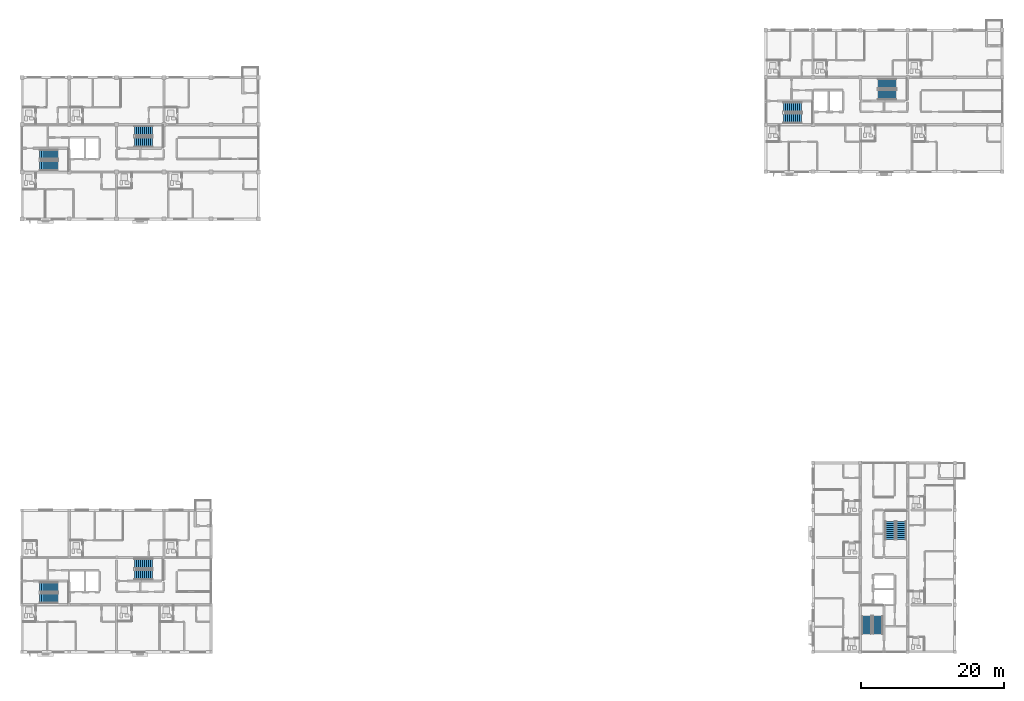
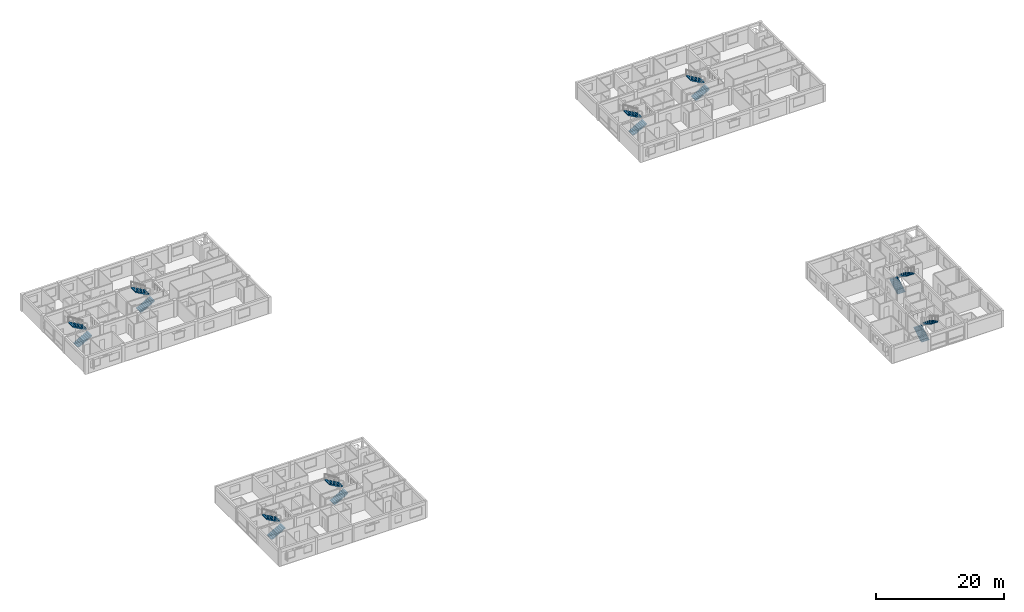
# One storey, part 42 of 53: 16 stair flights, 8 elements without a shape of their own.
"""IFC4 building model written with IfcOpenShell, lengths in metres."""

from ifc_helpers import new_model, si_unit, direction, frame, origin, place, context, subcontext, project, spatial, polyline, outline, extrude, material, type_object, element, aggregate, save


model = new_model("IFC4")

# Units and contexts
model_context = context("Model", 3, precision=1e-05, world=origin(), true_north=direction((0.0, 1.0)))
body_context = subcontext(model_context, "Body", "Model", "MODEL_VIEW")
ifc_project = project(units=[si_unit("LENGTHUNIT", "METRE"), si_unit("AREAUNIT", "SQUARE_METRE"), si_unit("VOLUMEUNIT", "CUBIC_METRE"), si_unit("PLANEANGLEUNIT", "RADIAN"), si_unit("MASSUNIT", "GRAM", prefix="KILO")], contexts=[model_context])

# Site, building, storey
site_placement = place(None, origin())
site = spatial("IfcSite", under=ifc_project, at=site_placement, CompositionType="ELEMENT")
building_placement = place(site_placement, origin())
building = spatial("IfcBuilding", under=site, at=building_placement, Name="Kernevlak Ridge Housing Community", CompositionType="ELEMENT")
storey_placement = place(building_placement, frame((0.0, 0.0, 24.39990234375)))
storey = spatial("IfcBuildingStorey", under=building, at=storey_placement, Name="L07", CompositionType="ELEMENT", Elevation=24.39990234375)

# Stair, stair flights
ifc_material = material(Name="Concrete C35/45", Category="concrete")
stair_type = type_object("IfcStairType", Name="SR-01", PredefinedType="HALF_TURN_STAIR", material=ifc_material)
stair_1_placement = place(storey_placement, origin())
stair_1 = element("IfcStair", 1, at=stair_1_placement, inside=storey, type_object=stair_type, Name="Stair ST-A1 L07", PredefinedType="HALF_TURN_STAIR")
stair_flight_type = type_object("IfcStairFlightType", Name="SF-01", PredefinedType="STRAIGHT", material=ifc_material)
stair_flight_1_placement = place(storey_placement, frame((18.080078125, 83.4599609375, 0.0), z_axis=(0.0, 0.0, 1.0), x_axis=(1.0, 0.0, 0.0)))
stair_flight_1 = element("IfcStairFlight", 2, at=stair_flight_1_placement, type_object=stair_flight_type, Name="SR-01 flight 1", NumberOfRisers=10, NumberOfTreads=9, PredefinedType="STRAIGHT", RiserHeight=0.16, TreadLength=0.28, context=body_context, shape_type="SweptSolid", body=[
    extrude(outline(polyline([(0.0, 0.0), (0.0, 0.159912109375), (0.280029296875, 0.159912109375), (0.280029296875, 0.320068359375), (0.56005859375, 0.320068359375), (0.56005859375, 0.47998046875), (0.840087890625, 0.47998046875), (0.840087890625, 0.639892578125), (1.1201171875, 0.639892578125), (1.1201171875, 0.800048828125), (1.39990234375, 0.800048828125), (1.39990234375, 0.9599609375), (1.679931640625, 0.9599609375), (1.679931640625, 1.1201171875), (1.9599609375, 1.1201171875), (1.9599609375, 1.280029296875), (2.239990234375, 1.280029296875), (2.239990234375, 1.43994140625), (2.52001953125, 1.43994140625), (2.52001953125, 1.60009765625), (2.52001953125, 1.244384765625), (0.342529296875, 0.0), (0.0, 0.0)])), frame((0.0, 0.699951171875, 0.0), z_axis=(0.0, -1.0, 0.0), x_axis=(1.0, 0.0, 0.0)), (0.0, 0.0, 1.0), 1.39990234375),
])
stair_flight_2_placement = place(storey_placement, frame((20.60009765625, 85.0400390625, 1.60009765625), z_axis=(0.0, 0.0, 1.0), x_axis=(-1.0, 0.0, 0.0)))
stair_flight_2 = element("IfcStairFlight", 3, at=stair_flight_2_placement, type_object=stair_flight_type, Name="SR-01 flight 2", NumberOfRisers=10, NumberOfTreads=9, PredefinedType="STRAIGHT", RiserHeight=0.16, TreadLength=0.28, context=body_context, shape_type="SweptSolid", body=[
    extrude(outline(polyline([(0.0, 0.0), (0.0, 0.159912109375), (0.280029296875, 0.159912109375), (0.280029296875, 0.320068359375), (0.56005859375, 0.320068359375), (0.56005859375, 0.47998046875), (0.840087890625, 0.47998046875), (0.840087890625, 0.639892578125), (1.1201171875, 0.639892578125), (1.1201171875, 0.800048828125), (1.39990234375, 0.800048828125), (1.39990234375, 0.9599609375), (1.679931640625, 0.9599609375), (1.679931640625, 1.1201171875), (1.9599609375, 1.1201171875), (1.9599609375, 1.280029296875), (2.239990234375, 1.280029296875), (2.239990234375, 1.43994140625), (2.52001953125, 1.43994140625), (2.52001953125, 1.60009765625), (2.52001953125, 1.244384765625), (0.342529296875, 0.0), (0.0, 0.0)])), frame((0.0, 0.699951171875, 0.0), z_axis=(0.0, -1.0, 0.0), x_axis=(1.0, 0.0, 0.0)), (0.0, 0.0, 1.0), 1.39990234375),
])
aggregate(stair_1, [stair_flight_1, stair_flight_2])

stair_2_placement = place(storey_placement, origin())
stair_2 = element("IfcStair", 4, at=stair_2_placement, inside=storey, type_object=stair_type, Name="Stair ST-A2 L07", PredefinedType="HALF_TURN_STAIR")
stair_flight_3_placement = place(storey_placement, frame((31.280029296875, 86.760009765625, 0.0), z_axis=(0.0, 0.0, 1.0), x_axis=(1.0, 0.0, 0.0)))
stair_flight_3 = element("IfcStairFlight", 5, at=stair_flight_3_placement, type_object=stair_flight_type, Name="SR-01 flight 1", NumberOfRisers=10, NumberOfTreads=9, PredefinedType="STRAIGHT", RiserHeight=0.16, TreadLength=0.28, context=body_context, shape_type="SweptSolid", body=[
    extrude(outline(polyline([(0.0, 0.0), (0.0, 0.159912109375), (0.280029296875, 0.159912109375), (0.280029296875, 0.320068359375), (0.56005859375, 0.320068359375), (0.56005859375, 0.47998046875), (0.840087890625, 0.47998046875), (0.840087890625, 0.639892578125), (1.1201171875, 0.639892578125), (1.1201171875, 0.800048828125), (1.39990234375, 0.800048828125), (1.39990234375, 0.9599609375), (1.679931640625, 0.9599609375), (1.679931640625, 1.1201171875), (1.9599609375, 1.1201171875), (1.9599609375, 1.280029296875), (2.239990234375, 1.280029296875), (2.239990234375, 1.43994140625), (2.52001953125, 1.43994140625), (2.52001953125, 1.60009765625), (2.52001953125, 1.244384765625), (0.342529296875, 0.0), (0.0, 0.0)])), frame((0.0, 0.699951171875, 0.0), z_axis=(0.0, -1.0, 0.0), x_axis=(1.0, 0.0, 0.0)), (0.0, 0.0, 1.0), 1.39990234375),
])
stair_flight_4_placement = place(storey_placement, frame((33.800048828125, 88.340087890625, 1.60009765625), z_axis=(0.0, 0.0, 1.0), x_axis=(-1.0, 0.0, 0.0)))
stair_flight_4 = element("IfcStairFlight", 6, at=stair_flight_4_placement, type_object=stair_flight_type, Name="SR-01 flight 2", NumberOfRisers=10, NumberOfTreads=9, PredefinedType="STRAIGHT", RiserHeight=0.16, TreadLength=0.28, context=body_context, shape_type="SweptSolid", body=[
    extrude(outline(polyline([(0.0, 0.0), (0.0, 0.159912109375), (0.280029296875, 0.159912109375), (0.280029296875, 0.320068359375), (0.56005859375, 0.320068359375), (0.56005859375, 0.47998046875), (0.840087890625, 0.47998046875), (0.840087890625, 0.639892578125), (1.1201171875, 0.639892578125), (1.1201171875, 0.800048828125), (1.39990234375, 0.800048828125), (1.39990234375, 0.9599609375), (1.679931640625, 0.9599609375), (1.679931640625, 1.1201171875), (1.9599609375, 1.1201171875), (1.9599609375, 1.280029296875), (2.239990234375, 1.280029296875), (2.239990234375, 1.43994140625), (2.52001953125, 1.43994140625), (2.52001953125, 1.60009765625), (2.52001953125, 1.244384765625), (0.342529296875, 0.0), (0.0, 0.0)])), frame((0.0, 0.699951171875, 0.0), z_axis=(0.0, -1.0, 0.0), x_axis=(1.0, 0.0, 0.0)), (0.0, 0.0, 1.0), 1.39990234375),
])
aggregate(stair_2, [stair_flight_3, stair_flight_4])

stair_3_placement = place(storey_placement, origin())
stair_3 = element("IfcStair", 7, at=stair_3_placement, inside=storey, type_object=stair_type, Name="Stair ST-B1 L07", PredefinedType="HALF_TURN_STAIR")
stair_flight_5_placement = place(storey_placement, frame((121.8798828125, 90.06005859375, 0.0), z_axis=(0.0, 0.0, 1.0), x_axis=(1.0, 0.0, 0.0)))
stair_flight_5 = element("IfcStairFlight", 8, at=stair_flight_5_placement, type_object=stair_flight_type, Name="SR-01 flight 1", NumberOfRisers=10, NumberOfTreads=9, PredefinedType="STRAIGHT", RiserHeight=0.16, TreadLength=0.28, context=body_context, shape_type="SweptSolid", body=[
    extrude(outline(polyline([(0.0, 0.0), (0.0, 0.159912109375), (0.280029296875, 0.159912109375), (0.280029296875, 0.320068359375), (0.56005859375, 0.320068359375), (0.56005859375, 0.47998046875), (0.840087890625, 0.47998046875), (0.840087890625, 0.639892578125), (1.1201171875, 0.639892578125), (1.1201171875, 0.800048828125), (1.39990234375, 0.800048828125), (1.39990234375, 0.9599609375), (1.679931640625, 0.9599609375), (1.679931640625, 1.1201171875), (1.9599609375, 1.1201171875), (1.9599609375, 1.280029296875), (2.239990234375, 1.280029296875), (2.239990234375, 1.43994140625), (2.52001953125, 1.43994140625), (2.52001953125, 1.60009765625), (2.52001953125, 1.244384765625), (0.342529296875, 0.0), (0.0, 0.0)])), frame((0.0, 0.699951171875, 0.0), z_axis=(0.0, -1.0, 0.0), x_axis=(1.0, 0.0, 0.0)), (0.0, 0.0, 1.0), 1.39990234375),
])
stair_flight_6_placement = place(storey_placement, frame((124.39990234375, 91.639892578125, 1.60009765625), z_axis=(0.0, 0.0, 1.0), x_axis=(-1.0, 0.0, 0.0)))
stair_flight_6 = element("IfcStairFlight", 9, at=stair_flight_6_placement, type_object=stair_flight_type, Name="SR-01 flight 2", NumberOfRisers=10, NumberOfTreads=9, PredefinedType="STRAIGHT", RiserHeight=0.16, TreadLength=0.28, context=body_context, shape_type="SweptSolid", body=[
    extrude(outline(polyline([(0.0, 0.0), (0.0, 0.159912109375), (0.280029296875, 0.159912109375), (0.280029296875, 0.320068359375), (0.56005859375, 0.320068359375), (0.56005859375, 0.47998046875), (0.840087890625, 0.47998046875), (0.840087890625, 0.639892578125), (1.1201171875, 0.639892578125), (1.1201171875, 0.800048828125), (1.39990234375, 0.800048828125), (1.39990234375, 0.9599609375), (1.679931640625, 0.9599609375), (1.679931640625, 1.1201171875), (1.9599609375, 1.1201171875), (1.9599609375, 1.280029296875), (2.239990234375, 1.280029296875), (2.239990234375, 1.43994140625), (2.52001953125, 1.43994140625), (2.52001953125, 1.60009765625), (2.52001953125, 1.244384765625), (0.342529296875, 0.0), (0.0, 0.0)])), frame((0.0, 0.699951171875, 0.0), z_axis=(0.0, -1.0, 0.0), x_axis=(1.0, 0.0, 0.0)), (0.0, 0.0, 1.0), 1.39990234375),
])
aggregate(stair_3, [stair_flight_5, stair_flight_6])

stair_4_placement = place(storey_placement, origin())
stair_4 = element("IfcStair", 10, at=stair_4_placement, inside=storey, type_object=stair_type, Name="Stair ST-B2 L07", PredefinedType="HALF_TURN_STAIR")
stair_flight_7_placement = place(storey_placement, frame((135.080078125, 93.360107421875, 0.0), z_axis=(0.0, 0.0, 1.0), x_axis=(1.0, 0.0, 0.0)))
stair_flight_7 = element("IfcStairFlight", 11, at=stair_flight_7_placement, type_object=stair_flight_type, Name="SR-01 flight 1", NumberOfRisers=10, NumberOfTreads=9, PredefinedType="STRAIGHT", RiserHeight=0.16, TreadLength=0.28, context=body_context, shape_type="SweptSolid", body=[
    extrude(outline(polyline([(0.0, 0.0), (0.0, 0.159912109375), (0.280029296875, 0.159912109375), (0.280029296875, 0.320068359375), (0.56005859375, 0.320068359375), (0.56005859375, 0.47998046875), (0.840087890625, 0.47998046875), (0.840087890625, 0.639892578125), (1.1201171875, 0.639892578125), (1.1201171875, 0.800048828125), (1.39990234375, 0.800048828125), (1.39990234375, 0.9599609375), (1.679931640625, 0.9599609375), (1.679931640625, 1.1201171875), (1.9599609375, 1.1201171875), (1.9599609375, 1.280029296875), (2.239990234375, 1.280029296875), (2.239990234375, 1.43994140625), (2.52001953125, 1.43994140625), (2.52001953125, 1.60009765625), (2.52001953125, 1.244384765625), (0.342529296875, 0.0), (0.0, 0.0)])), frame((0.0, 0.699951171875, 0.0), z_axis=(0.0, -1.0, 0.0), x_axis=(1.0, 0.0, 0.0)), (0.0, 0.0, 1.0), 1.39990234375),
])
stair_flight_8_placement = place(storey_placement, frame((137.60009765625, 94.93994140625, 1.60009765625), z_axis=(0.0, 0.0, 1.0), x_axis=(-1.0, 0.0, 0.0)))
stair_flight_8 = element("IfcStairFlight", 12, at=stair_flight_8_placement, type_object=stair_flight_type, Name="SR-01 flight 2", NumberOfRisers=10, NumberOfTreads=9, PredefinedType="STRAIGHT", RiserHeight=0.16, TreadLength=0.28, context=body_context, shape_type="SweptSolid", body=[
    extrude(outline(polyline([(0.0, 0.0), (0.0, 0.159912109375), (0.280029296875, 0.159912109375), (0.280029296875, 0.320068359375), (0.56005859375, 0.320068359375), (0.56005859375, 0.47998046875), (0.840087890625, 0.47998046875), (0.840087890625, 0.639892578125), (1.1201171875, 0.639892578125), (1.1201171875, 0.800048828125), (1.39990234375, 0.800048828125), (1.39990234375, 0.9599609375), (1.679931640625, 0.9599609375), (1.679931640625, 1.1201171875), (1.9599609375, 1.1201171875), (1.9599609375, 1.280029296875), (2.239990234375, 1.280029296875), (2.239990234375, 1.43994140625), (2.52001953125, 1.43994140625), (2.52001953125, 1.60009765625), (2.52001953125, 1.244384765625), (0.342529296875, 0.0), (0.0, 0.0)])), frame((0.0, 0.699951171875, 0.0), z_axis=(0.0, -1.0, 0.0), x_axis=(1.0, 0.0, 0.0)), (0.0, 0.0, 1.0), 1.39990234375),
])
aggregate(stair_4, [stair_flight_7, stair_flight_8])

stair_5_placement = place(storey_placement, origin())
stair_5 = element("IfcStair", 13, at=stair_5_placement, inside=storey, type_object=stair_type, Name="Stair ST-C1 L07", PredefinedType="HALF_TURN_STAIR")
stair_flight_9_placement = place(storey_placement, frame((133.4599609375, 18.080078125, 0.0), z_axis=(0.0, 0.0, 1.0), x_axis=(0.0, 1.0, 0.0)))
stair_flight_9 = element("IfcStairFlight", 14, at=stair_flight_9_placement, type_object=stair_flight_type, Name="SR-01 flight 1", NumberOfRisers=10, NumberOfTreads=9, PredefinedType="STRAIGHT", RiserHeight=0.16, TreadLength=0.28, context=body_context, shape_type="SweptSolid", body=[
    extrude(outline(polyline([(0.0, 0.0), (0.0, 0.159912109375), (0.280029296875, 0.159912109375), (0.280029296875, 0.320068359375), (0.56005859375, 0.320068359375), (0.56005859375, 0.47998046875), (0.840087890625, 0.47998046875), (0.840087890625, 0.639892578125), (1.1201171875, 0.639892578125), (1.1201171875, 0.800048828125), (1.39990234375, 0.800048828125), (1.39990234375, 0.9599609375), (1.679931640625, 0.9599609375), (1.679931640625, 1.1201171875), (1.9599609375, 1.1201171875), (1.9599609375, 1.280029296875), (2.239990234375, 1.280029296875), (2.239990234375, 1.43994140625), (2.52001953125, 1.43994140625), (2.52001953125, 1.60009765625), (2.52001953125, 1.244384765625), (0.342529296875, 0.0), (0.0, 0.0)])), frame((0.0, 0.699951171875, 0.0), z_axis=(0.0, -1.0, 0.0), x_axis=(1.0, 0.0, 0.0)), (0.0, 0.0, 1.0), 1.39990234375),
])
stair_flight_10_placement = place(storey_placement, frame((135.0400390625, 20.60009765625, 1.60009765625), z_axis=(0.0, 0.0, 1.0), x_axis=(0.0, -1.0, 0.0)))
stair_flight_10 = element("IfcStairFlight", 15, at=stair_flight_10_placement, type_object=stair_flight_type, Name="SR-01 flight 2", NumberOfRisers=10, NumberOfTreads=9, PredefinedType="STRAIGHT", RiserHeight=0.16, TreadLength=0.28, context=body_context, shape_type="SweptSolid", body=[
    extrude(outline(polyline([(0.0, 0.0), (0.0, 0.159912109375), (0.280029296875, 0.159912109375), (0.280029296875, 0.320068359375), (0.56005859375, 0.320068359375), (0.56005859375, 0.47998046875), (0.840087890625, 0.47998046875), (0.840087890625, 0.639892578125), (1.1201171875, 0.639892578125), (1.1201171875, 0.800048828125), (1.39990234375, 0.800048828125), (1.39990234375, 0.9599609375), (1.679931640625, 0.9599609375), (1.679931640625, 1.1201171875), (1.9599609375, 1.1201171875), (1.9599609375, 1.280029296875), (2.239990234375, 1.280029296875), (2.239990234375, 1.43994140625), (2.52001953125, 1.43994140625), (2.52001953125, 1.60009765625), (2.52001953125, 1.244384765625), (0.342529296875, 0.0), (0.0, 0.0)])), frame((0.0, 0.699951171875, 0.0), z_axis=(0.0, -1.0, 0.0), x_axis=(1.0, 0.0, 0.0)), (0.0, 0.0, 1.0), 1.39990234375),
])
aggregate(stair_5, [stair_flight_9, stair_flight_10])

stair_6_placement = place(storey_placement, origin())
stair_6 = element("IfcStair", 16, at=stair_6_placement, inside=storey, type_object=stair_type, Name="Stair ST-C2 L07", PredefinedType="HALF_TURN_STAIR")
stair_flight_11_placement = place(storey_placement, frame((136.760009765625, 31.280029296875, 0.0), z_axis=(0.0, 0.0, 1.0), x_axis=(0.0, 1.0, 0.0)))
stair_flight_11 = element("IfcStairFlight", 17, at=stair_flight_11_placement, type_object=stair_flight_type, Name="SR-01 flight 1", NumberOfRisers=10, NumberOfTreads=9, PredefinedType="STRAIGHT", RiserHeight=0.16, TreadLength=0.28, context=body_context, shape_type="SweptSolid", body=[
    extrude(outline(polyline([(0.0, 0.0), (0.0, 0.159912109375), (0.280029296875, 0.159912109375), (0.280029296875, 0.320068359375), (0.56005859375, 0.320068359375), (0.56005859375, 0.47998046875), (0.840087890625, 0.47998046875), (0.840087890625, 0.639892578125), (1.1201171875, 0.639892578125), (1.1201171875, 0.800048828125), (1.39990234375, 0.800048828125), (1.39990234375, 0.9599609375), (1.679931640625, 0.9599609375), (1.679931640625, 1.1201171875), (1.9599609375, 1.1201171875), (1.9599609375, 1.280029296875), (2.239990234375, 1.280029296875), (2.239990234375, 1.43994140625), (2.52001953125, 1.43994140625), (2.52001953125, 1.60009765625), (2.52001953125, 1.244384765625), (0.342529296875, 0.0), (0.0, 0.0)])), frame((0.0, 0.699951171875, 0.0), z_axis=(0.0, -1.0, 0.0), x_axis=(1.0, 0.0, 0.0)), (0.0, 0.0, 1.0), 1.39990234375),
])
stair_flight_12_placement = place(storey_placement, frame((138.340087890625, 33.800048828125, 1.60009765625), z_axis=(0.0, 0.0, 1.0), x_axis=(0.0, -1.0, 0.0)))
stair_flight_12 = element("IfcStairFlight", 18, at=stair_flight_12_placement, type_object=stair_flight_type, Name="SR-01 flight 2", NumberOfRisers=10, NumberOfTreads=9, PredefinedType="STRAIGHT", RiserHeight=0.16, TreadLength=0.28, context=body_context, shape_type="SweptSolid", body=[
    extrude(outline(polyline([(0.0, 0.0), (0.0, 0.159912109375), (0.280029296875, 0.159912109375), (0.280029296875, 0.320068359375), (0.56005859375, 0.320068359375), (0.56005859375, 0.47998046875), (0.840087890625, 0.47998046875), (0.840087890625, 0.639892578125), (1.1201171875, 0.639892578125), (1.1201171875, 0.800048828125), (1.39990234375, 0.800048828125), (1.39990234375, 0.9599609375), (1.679931640625, 0.9599609375), (1.679931640625, 1.1201171875), (1.9599609375, 1.1201171875), (1.9599609375, 1.280029296875), (2.239990234375, 1.280029296875), (2.239990234375, 1.43994140625), (2.52001953125, 1.43994140625), (2.52001953125, 1.60009765625), (2.52001953125, 1.244384765625), (0.342529296875, 0.0), (0.0, 0.0)])), frame((0.0, 0.699951171875, 0.0), z_axis=(0.0, -1.0, 0.0), x_axis=(1.0, 0.0, 0.0)), (0.0, 0.0, 1.0), 1.39990234375),
])
aggregate(stair_6, [stair_flight_11, stair_flight_12])

stair_7_placement = place(storey_placement, origin())
stair_7 = element("IfcStair", 19, at=stair_7_placement, inside=storey, type_object=stair_type, Name="Stair ST-D1 L07", PredefinedType="HALF_TURN_STAIR")
stair_flight_13_placement = place(storey_placement, frame((18.080078125, 23.06005859375, 0.0), z_axis=(0.0, 0.0, 1.0), x_axis=(1.0, 0.0, 0.0)))
stair_flight_13 = element("IfcStairFlight", 20, at=stair_flight_13_placement, type_object=stair_flight_type, Name="SR-01 flight 1", NumberOfRisers=10, NumberOfTreads=9, PredefinedType="STRAIGHT", RiserHeight=0.16, TreadLength=0.28, context=body_context, shape_type="SweptSolid", body=[
    extrude(outline(polyline([(0.0, 0.0), (0.0, 0.159912109375), (0.280029296875, 0.159912109375), (0.280029296875, 0.320068359375), (0.56005859375, 0.320068359375), (0.56005859375, 0.47998046875), (0.840087890625, 0.47998046875), (0.840087890625, 0.639892578125), (1.1201171875, 0.639892578125), (1.1201171875, 0.800048828125), (1.39990234375, 0.800048828125), (1.39990234375, 0.9599609375), (1.679931640625, 0.9599609375), (1.679931640625, 1.1201171875), (1.9599609375, 1.1201171875), (1.9599609375, 1.280029296875), (2.239990234375, 1.280029296875), (2.239990234375, 1.43994140625), (2.52001953125, 1.43994140625), (2.52001953125, 1.60009765625), (2.52001953125, 1.244384765625), (0.342529296875, 0.0), (0.0, 0.0)])), frame((0.0, 0.699951171875, 0.0), z_axis=(0.0, -1.0, 0.0), x_axis=(1.0, 0.0, 0.0)), (0.0, 0.0, 1.0), 1.39990234375),
])
stair_flight_14_placement = place(storey_placement, frame((20.60009765625, 24.639892578125, 1.60009765625), z_axis=(0.0, 0.0, 1.0), x_axis=(-1.0, 0.0, 0.0)))
stair_flight_14 = element("IfcStairFlight", 21, at=stair_flight_14_placement, type_object=stair_flight_type, Name="SR-01 flight 2", NumberOfRisers=10, NumberOfTreads=9, PredefinedType="STRAIGHT", RiserHeight=0.16, TreadLength=0.28, context=body_context, shape_type="SweptSolid", body=[
    extrude(outline(polyline([(0.0, 0.0), (0.0, 0.159912109375), (0.280029296875, 0.159912109375), (0.280029296875, 0.320068359375), (0.56005859375, 0.320068359375), (0.56005859375, 0.47998046875), (0.840087890625, 0.47998046875), (0.840087890625, 0.639892578125), (1.1201171875, 0.639892578125), (1.1201171875, 0.800048828125), (1.39990234375, 0.800048828125), (1.39990234375, 0.9599609375), (1.679931640625, 0.9599609375), (1.679931640625, 1.1201171875), (1.9599609375, 1.1201171875), (1.9599609375, 1.280029296875), (2.239990234375, 1.280029296875), (2.239990234375, 1.43994140625), (2.52001953125, 1.43994140625), (2.52001953125, 1.60009765625), (2.52001953125, 1.244384765625), (0.342529296875, 0.0), (0.0, 0.0)])), frame((0.0, 0.699951171875, 0.0), z_axis=(0.0, -1.0, 0.0), x_axis=(1.0, 0.0, 0.0)), (0.0, 0.0, 1.0), 1.39990234375),
])
aggregate(stair_7, [stair_flight_13, stair_flight_14])

stair_8_placement = place(storey_placement, origin())
stair_8 = element("IfcStair", 22, at=stair_8_placement, inside=storey, type_object=stair_type, Name="Stair ST-D2 L07", PredefinedType="HALF_TURN_STAIR")
stair_flight_15_placement = place(storey_placement, frame((31.280029296875, 26.360107421875, 0.0), z_axis=(0.0, 0.0, 1.0), x_axis=(1.0, 0.0, 0.0)))
stair_flight_15 = element("IfcStairFlight", 23, at=stair_flight_15_placement, type_object=stair_flight_type, Name="SR-01 flight 1", NumberOfRisers=10, NumberOfTreads=9, PredefinedType="STRAIGHT", RiserHeight=0.16, TreadLength=0.28, context=body_context, shape_type="SweptSolid", body=[
    extrude(outline(polyline([(0.0, 0.0), (0.0, 0.159912109375), (0.280029296875, 0.159912109375), (0.280029296875, 0.320068359375), (0.56005859375, 0.320068359375), (0.56005859375, 0.47998046875), (0.840087890625, 0.47998046875), (0.840087890625, 0.639892578125), (1.1201171875, 0.639892578125), (1.1201171875, 0.800048828125), (1.39990234375, 0.800048828125), (1.39990234375, 0.9599609375), (1.679931640625, 0.9599609375), (1.679931640625, 1.1201171875), (1.9599609375, 1.1201171875), (1.9599609375, 1.280029296875), (2.239990234375, 1.280029296875), (2.239990234375, 1.43994140625), (2.52001953125, 1.43994140625), (2.52001953125, 1.60009765625), (2.52001953125, 1.244384765625), (0.342529296875, 0.0), (0.0, 0.0)])), frame((0.0, 0.699951171875, 0.0), z_axis=(0.0, -1.0, 0.0), x_axis=(1.0, 0.0, 0.0)), (0.0, 0.0, 1.0), 1.39990234375),
])
stair_flight_16_placement = place(storey_placement, frame((33.800048828125, 27.93994140625, 1.60009765625), z_axis=(0.0, 0.0, 1.0), x_axis=(-1.0, 0.0, 0.0)))
stair_flight_16 = element("IfcStairFlight", 24, at=stair_flight_16_placement, type_object=stair_flight_type, Name="SR-01 flight 2", NumberOfRisers=10, NumberOfTreads=9, PredefinedType="STRAIGHT", RiserHeight=0.16, TreadLength=0.28, context=body_context, shape_type="SweptSolid", body=[
    extrude(outline(polyline([(0.0, 0.0), (0.0, 0.159912109375), (0.280029296875, 0.159912109375), (0.280029296875, 0.320068359375), (0.56005859375, 0.320068359375), (0.56005859375, 0.47998046875), (0.840087890625, 0.47998046875), (0.840087890625, 0.639892578125), (1.1201171875, 0.639892578125), (1.1201171875, 0.800048828125), (1.39990234375, 0.800048828125), (1.39990234375, 0.9599609375), (1.679931640625, 0.9599609375), (1.679931640625, 1.1201171875), (1.9599609375, 1.1201171875), (1.9599609375, 1.280029296875), (2.239990234375, 1.280029296875), (2.239990234375, 1.43994140625), (2.52001953125, 1.43994140625), (2.52001953125, 1.60009765625), (2.52001953125, 1.244384765625), (0.342529296875, 0.0), (0.0, 0.0)])), frame((0.0, 0.699951171875, 0.0), z_axis=(0.0, -1.0, 0.0), x_axis=(1.0, 0.0, 0.0)), (0.0, 0.0, 1.0), 1.39990234375),
])
aggregate(stair_8, [stair_flight_15, stair_flight_16])

save(model, "model.ifc")
